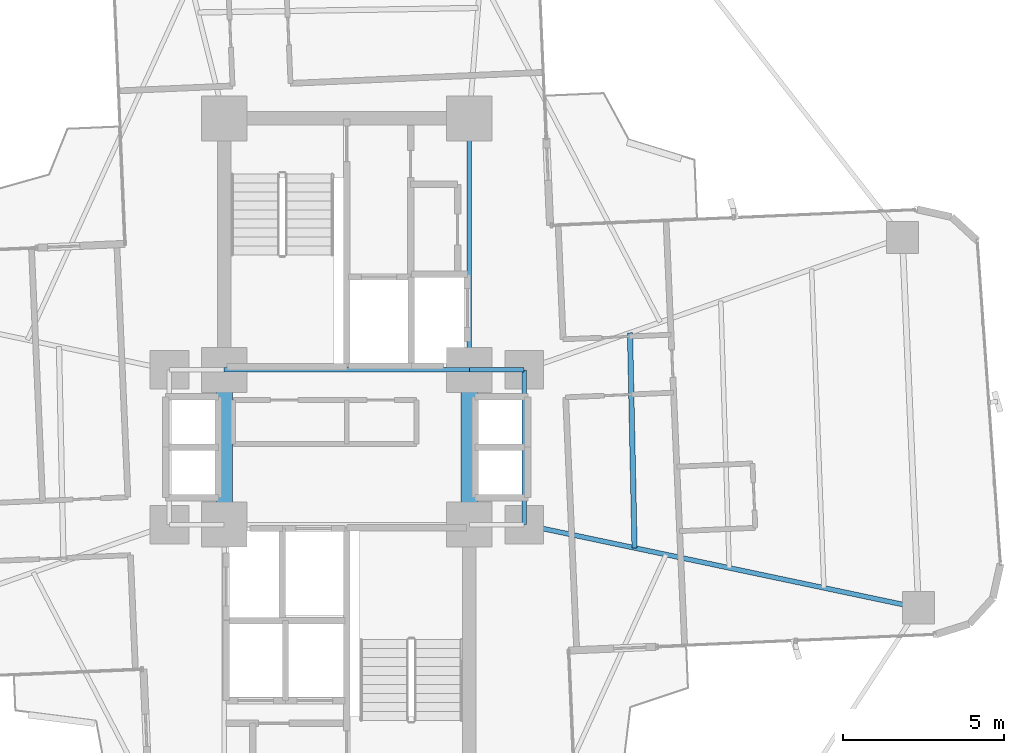
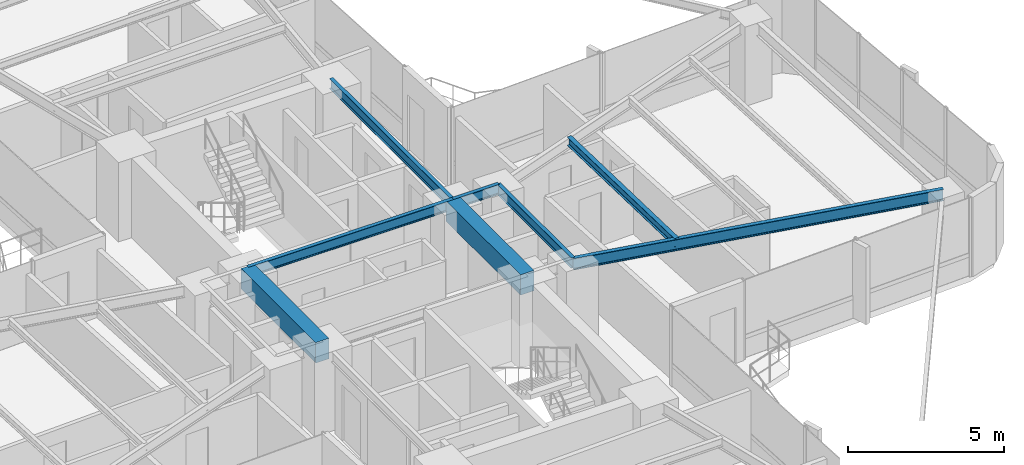
# One storey, part 12 of 26: 8 beams.
"""IFC4 building model written with IfcOpenShell, lengths in metres."""

from ifc_helpers import new_model, si_unit, direction, frame, origin, origin_2d, place, context, subcontext, project, spatial, rectangle, i_section, extrude, source, transform, mapped, material, material_profile, profile_set, type_object, element, save


model = new_model("IFC4")

# Units and contexts
model_context = context("Model", 3, precision=1e-05, world=origin(), true_north=direction((0.0, 1.0)))
body_context = subcontext(model_context, "Body", "Model", "MODEL_VIEW")
ifc_project = project(units=[si_unit("LENGTHUNIT", "METRE"), si_unit("AREAUNIT", "SQUARE_METRE"), si_unit("VOLUMEUNIT", "CUBIC_METRE"), si_unit("PLANEANGLEUNIT", "RADIAN"), si_unit("MASSUNIT", "GRAM", prefix="KILO")], contexts=[model_context])

# Site, building, storey
site_placement = place(None, origin())
site = spatial("IfcSite", under=ifc_project, at=site_placement, CompositionType="ELEMENT")
building_placement = place(site_placement, origin())
building = spatial("IfcBuilding", under=site, at=building_placement, Name="Sahyath Konkavel Grand Hotel", CompositionType="ELEMENT")
storey_placement = place(building_placement, frame((0.0, 0.0, 111.449951171875)))
storey = spatial("IfcBuildingStorey", under=building, at=storey_placement, Name="L30", CompositionType="ELEMENT", Elevation=111.449951171875)

# Beams
ifc_material_1 = material(Name="Steel E350", Category="steel")
ifc_material_profile_1 = material_profile(ifc_material_1, i_section(OverallWidth=0.139892578125, OverallDepth=0.39990234375, WebThickness=0.0087890625, FlangeThickness=0.01611328125, FilletRadius=0.013916015625, at=origin_2d()), Name="ISMB 400")
ifc_profile_set_1 = profile_set([ifc_material_profile_1], Name="Steel E350")
beam_type_1 = type_object("IfcBeamType", Name="BM-ISMB400", PredefinedType="BEAM", material=ifc_profile_set_1)
shared_shape_1 = source(origin(), body_context, "Body", "SweptSolid", [
    extrude(i_section(OverallWidth=0.139892578125, OverallDepth=0.39990234375, WebThickness=0.0087890625, FlangeThickness=0.01611328125, FilletRadius=0.013916015625, at=origin_2d()), origin(), (0.0, 0.0, 1.0), 7.60009765625),
])
beam_1_placement = place(storey_placement, frame((-3.800048828125, 2.39990234375, 2.91015625), z_axis=(1.0, 0.0, 0.0), x_axis=(0.0, 1.0, 0.0)))
element("IfcBeam", 1, at=beam_1_placement, inside=storey, type_object=beam_type_1, Name="str:bm:L30:NC-S", PredefinedType="BEAM", context=body_context, shape_type="MappedRepresentation", body=[
    mapped(shared_shape_1, transform((0.0, 0.0, 0.0), scale=1.0)),
])
shared_shape_2 = source(origin(), body_context, "Body", "SweptSolid", [
    extrude(i_section(OverallWidth=0.139892578125, OverallDepth=0.39990234375, WebThickness=0.0087890625, FlangeThickness=0.01611328125, FilletRadius=0.013916015625, at=origin_2d()), origin(), (0.0, 0.0, 1.0), 7.800048828125),
])
beam_2_placement = place(storey_placement, frame((3.800048828125, 2.39990234375, 2.91015625), z_axis=(0.0, 1.0, 0.0), x_axis=(-1.0, 0.0, 0.0)))
element("IfcBeam", 2, at=beam_2_placement, inside=storey, type_object=beam_type_1, Name="str:bm:L30:NC-E", PredefinedType="BEAM", context=body_context, shape_type="MappedRepresentation", body=[
    mapped(shared_shape_2, transform((0.0, 0.0, 0.0), scale=1.0)),
])
shared_shape_3 = source(origin(), body_context, "Body", "SweptSolid", [
    extrude(i_section(OverallWidth=0.139892578125, OverallDepth=0.39990234375, WebThickness=0.0087890625, FlangeThickness=0.01611328125, FilletRadius=0.013916015625, at=origin_2d()), origin(), (0.0, 0.0, 1.0), 1.699951171875),
])
beam_3_placement = place(storey_placement, frame((3.800048828125, 2.39990234375, 2.91015625), z_axis=(1.0, 0.0, 0.0), x_axis=(0.0, 1.0, 0.0)))
element("IfcBeam", 3, at=beam_3_placement, inside=storey, type_object=beam_type_1, Name="str:bm:L30:HB-NE", PredefinedType="BEAM", context=body_context, shape_type="MappedRepresentation", body=[
    mapped(shared_shape_3, transform((0.0, 0.0, 0.0), scale=1.0)),
])
shared_shape_4 = source(origin(), body_context, "Body", "SweptSolid", [
    extrude(i_section(OverallWidth=0.139892578125, OverallDepth=0.39990234375, WebThickness=0.0087890625, FlangeThickness=0.01611328125, FilletRadius=0.013916015625, at=origin_2d()), origin(), (0.0, 0.0, 1.0), 4.7998046875),
])
beam_4_placement = place(storey_placement, frame((5.5, -2.39990234375, 2.91015625), z_axis=(0.0, 1.0, 0.0), x_axis=(-1.0, 0.0, 0.0)))
element("IfcBeam", 4, at=beam_4_placement, inside=storey, type_object=beam_type_1, Name="str:bm:L30:HB-E", PredefinedType="BEAM", context=body_context, shape_type="MappedRepresentation", body=[
    mapped(shared_shape_4, transform((0.0, 0.0, 0.0), scale=1.0)),
])
ifc_material_2 = material(Name="Concrete C50/60", Category="concrete")
ifc_material_profile_2 = material_profile(ifc_material_2, rectangle(XDim=0.5, YDim=0.800048828125, at=origin_2d()), Name="RC 500x800")
ifc_profile_set_2 = profile_set([ifc_material_profile_2], Name="Concrete C50/60")
beam_type_2 = type_object("IfcBeamType", Name="BM-CB500x800", PredefinedType="LINTEL", material=ifc_profile_set_2)
shared_shape_5 = source(origin(), body_context, "Body", "SweptSolid", [
    extrude(rectangle(XDim=0.5, YDim=0.800048828125, at=origin_2d()), origin(), (0.0, 0.0, 1.0), 4.7998046875),
])
for number, where, z_axis, x_axis, name in (
    (5, (-3.800048828125, -2.39990234375, 2.7099609375), (0.0, 1.0, 0.0), (-1.0, 0.0, 0.0), "L30 Split-Core Coupling Beam West"),
    (6, (3.800048828125, -2.39990234375, 2.7099609375), (0.0, 1.0, 0.0), (-1.0, 0.0, 0.0), "L30 Split-Core Coupling Beam East"),
):
    element("IfcBeam", number, at=place(storey_placement, frame(where, z_axis=z_axis, x_axis=x_axis)), inside=storey, type_object=beam_type_2, Name=name, PredefinedType="LINTEL", context=body_context, shape_type="MappedRepresentation", body=[
        mapped(shared_shape_5, transform((0.0, 0.0, 0.0), scale=1.0)),
    ])
ifc_material_profile_3 = material_profile(ifc_material_1, i_section(OverallWidth=0.14990234375, OverallDepth=0.449951171875, WebThickness=0.009521484375, FlangeThickness=0.017333984375, FilletRadius=0.014892578125, at=origin_2d()), Name="ISMB 450")
ifc_profile_set_3 = profile_set([ifc_material_profile_3], Name="Steel E350")
beam_type_3 = type_object("IfcBeamType", Name="BM-ISMB450", PredefinedType="BEAM", material=ifc_profile_set_3)
shared_shape_6 = source(origin(), body_context, "Body", "SweptSolid", [
    extrude(i_section(OverallWidth=0.14990234375, OverallDepth=0.449951171875, WebThickness=0.009521484375, FlangeThickness=0.017333984375, FilletRadius=0.014892578125, at=origin_2d()), origin(), (0.0, 0.0, 1.0), 12.50341796875),
])
beam_5_placement = place(storey_placement, frame((5.5, -2.39990234375, 2.885009765625), z_axis=(0.978457911392, -0.206446398937, 0.0), x_axis=(0.206446398937, 0.978457911392, 0.0)))
element("IfcBeam", 7, at=beam_5_placement, inside=storey, type_object=beam_type_3, Name="L30 Cruciform Radial Girder EA", PredefinedType="BEAM", context=body_context, shape_type="MappedRepresentation", body=[
    mapped(shared_shape_6, transform((0.0, 0.0, 0.0), scale=1.0)),
])
ifc_material_profile_4 = material_profile(ifc_material_1, i_section(OverallWidth=0.1650390625, OverallDepth=0.324951171875, WebThickness=0.007080078125, FlangeThickness=0.009765625, FilletRadius=0.014892578125, at=origin_2d()), Name="ISLB 325")
ifc_profile_set_4 = profile_set([ifc_material_profile_4], Name="Steel E350")
beam_type_4 = type_object("IfcBeamType", Name="BM-ISLB325", PredefinedType="BEAM", material=ifc_profile_set_4)
shared_shape_7 = source(origin(), body_context, "Body", "SweptSolid", [
    extrude(i_section(OverallWidth=0.1650390625, OverallDepth=0.324951171875, WebThickness=0.007080078125, FlangeThickness=0.009765625, FilletRadius=0.014892578125, at=origin_2d()), origin(), (0.0, 0.0, 1.0), 6.674560546875),
])
beam_6_placement = place(storey_placement, frame((8.925537109375, -3.122802734375, 2.947509765625), z_axis=(-0.021032188543, 0.999778799058, 0.0), x_axis=(-0.999778799058, -0.021032188543, 0.0)))
element("IfcBeam", 8, at=beam_6_placement, inside=storey, type_object=beam_type_4, Name="L30 Secondary Floor Beam E-1", PredefinedType="BEAM", context=body_context, shape_type="MappedRepresentation", body=[
    mapped(shared_shape_7, transform((0.0, 0.0, 0.0), scale=1.0)),
])

save(model, "model.ifc")
